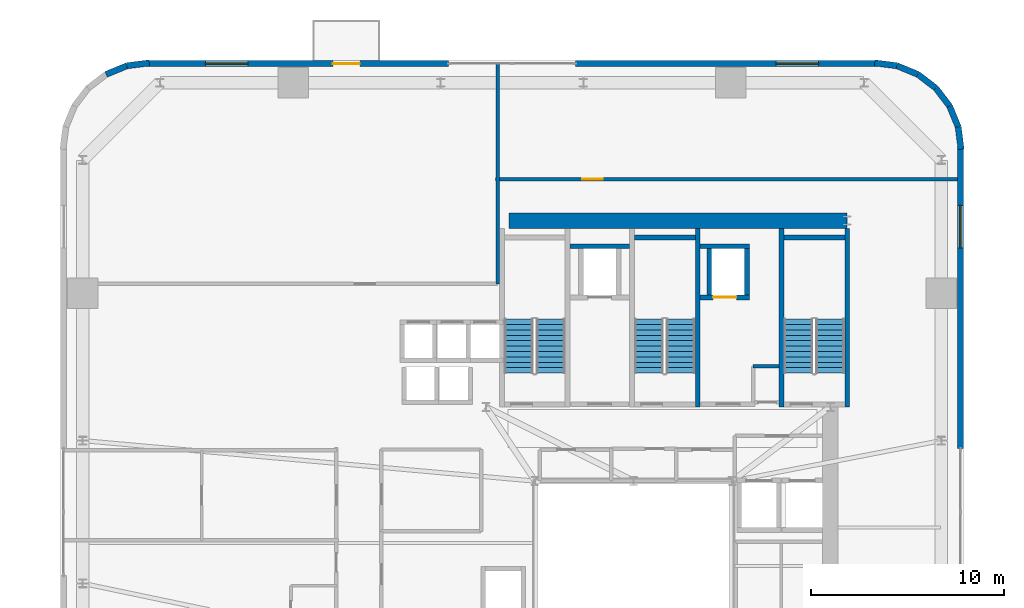
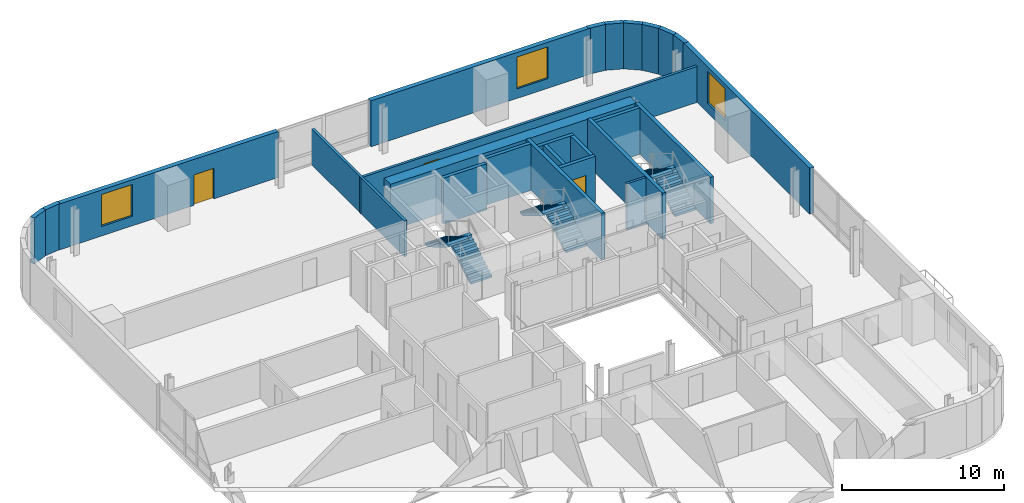
# One storey, part 9 of 11: 25 walls, 6 stair flights, 3 doors, 3 windows, 6 openings, 3 elements without a shape of their own.
"""IFC4 building model written with IfcOpenShell, lengths in metres."""

from ifc_helpers import new_model, si_unit, direction, frame, frame_2d, origin, place, context, subcontext, project, spatial, polyline, rectangle, outline, extrude, source, transform, mapped, material, layer, layer_set, type_object, element, fill, aggregate, save


model = new_model("IFC4")

# Units and contexts
model_context = context("Model", 3, precision=1e-05, world=origin(), true_north=direction((0.0, 1.0)))
body_context = subcontext(model_context, "Body", "Model", "MODEL_VIEW")
ifc_project = project(units=[si_unit("LENGTHUNIT", "METRE"), si_unit("AREAUNIT", "SQUARE_METRE"), si_unit("VOLUMEUNIT", "CUBIC_METRE"), si_unit("PLANEANGLEUNIT", "RADIAN"), si_unit("MASSUNIT", "GRAM", prefix="KILO")], contexts=[model_context])

# Site, building, storey
site_placement = place(None, origin())
site = spatial("IfcSite", under=ifc_project, at=site_placement, CompositionType="ELEMENT")
building_placement = place(site_placement, origin())
building = spatial("IfcBuilding", under=site, at=building_placement, Name="Vardaveli Station Tower", CompositionType="ELEMENT")
storey_placement = place(building_placement, frame((0.0, 0.0, 137.199951171875)))
storey = spatial("IfcBuildingStorey", under=building, at=storey_placement, Name="L35", CompositionType="ELEMENT", Elevation=137.199951171875)

# Wall
ifc_material_1 = material(Name="Concrete C50/60", Category="concrete")
ifc_layer_1 = layer(ifc_material_1, 0.800048828125, Name="Concrete C50/60")
ifc_layer_set_1 = layer_set([ifc_layer_1], Name="Concrete C50/60")
wall_type_1 = type_object("IfcWallType", Name="WAL-CORE-800", PredefinedType="SHEAR", material=ifc_layer_set_1)
shared_shape_1 = source(origin(), body_context, "Body", "SweptSolid", [
    extrude(rectangle(XDim=17.52001953125, YDim=0.800048828125, at=frame_2d((8.760009765625, 0.0))), origin(), (0.0, 0.0, 1.0), 3.4599609375),
])
wall_1_placement = place(storey_placement, frame((29.85009765625, 40.300048828125, 0.0), z_axis=(0.0, 0.0, 1.0), x_axis=(1.0, 0.0, 0.0)))
element("IfcWall", 1, at=wall_1_placement, inside=storey, type_object=wall_type_1, Name="SW-L35-NORTH", PredefinedType="SHEAR", context=body_context, shape_type="MappedRepresentation", body=[
    mapped(shared_shape_1, transform((0.0, 0.0, 0.0), scale=1.0)),
])

# Wall, opening, window
ifc_material_2 = material(Name="Precast concrete C45/55", Category="concrete")
ifc_layer_2 = layer(ifc_material_2, 0.320068359375, Name="Precast concrete C45/55")
ifc_layer_set_2 = layer_set([ifc_layer_2], Name="Precast concrete C45/55")
wall_type_2 = type_object("IfcWallType", Name="WAL-EXT-STONE-320", PredefinedType="SOLIDWALL", material=ifc_layer_set_2)
shared_shape_2 = source(origin(), body_context, "Body", "SweptSolid", [
    extrude(rectangle(XDim=15.599853515625, YDim=0.320068359375, at=frame_2d((7.7998046875, 0.0))), origin(), (0.0, 0.0, 1.0), 3.4599609375),
])
wall_2_placement = place(storey_placement, frame((48.89990234375, 48.43994140625, 0.0), z_axis=(0.0, 0.0, 1.0), x_axis=(-1.0, 0.0, 0.0)))
wall_2 = element("IfcWall", 2, at=wall_2_placement, inside=storey, type_object=wall_type_2, Name="EW-L35-N1", PredefinedType="SOLIDWALL", context=body_context, shape_type="MappedRepresentation", body=[
    mapped(shared_shape_2, transform((0.0, 0.0, 0.0), scale=1.0)),
])
shared_shape_3 = source(origin(), body_context, "Body", "SweptSolid", [
    extrude(rectangle(XDim=2.199951171875, YDim=2.39990234375, at=frame_2d((1.10009765625, 1.199951171875))), frame((0.0, 0.169921875, 0.0), z_axis=(0.0, -1.0, 0.0), x_axis=(1.0, 0.0, 0.0)), (0.0, 0.0, 1.0), 0.340087890625),
])
opening_1_placement = place(wall_2_placement, frame((3.0048828125, 0.0, 0.719970703125)))
opening_1 = element("IfcOpeningElement", 3, at=opening_1_placement, cuts=wall_2, Name="Opening W-03", PredefinedType="OPENING", context=body_context, shape_type="MappedRepresentation", body=[
    mapped(shared_shape_3, transform((0.0, 0.0, 0.0), scale=1.0)),
])
ifc_material_3 = material(Name="Low-E solar-control glass", Category="glass")
window_type = type_object("IfcWindowType", Name="WIN-LOG-2200x2400", PartitioningType="SINGLE_PANEL", PredefinedType="WINDOW", material=ifc_material_3)
shared_shape_4 = source(origin(), body_context, "Body", "SweptSolid", [
    extrude(rectangle(XDim=2.199951171875, YDim=2.39990234375, at=frame_2d((1.10009765625, 1.199951171875))), frame((0.0, 0.030029296875, 0.0), z_axis=(0.0, -1.0, 0.0), x_axis=(1.0, 0.0, 0.0)), (0.0, 0.0, 1.0), 0.06005859375),
])
window_1_placement = place(opening_1_placement, origin())
window_1 = element("IfcWindow", 4, at=window_1_placement, inside=storey, type_object=window_type, Name="WN-L35-N1", OverallHeight=2.39990234375, OverallWidth=2.199951171875, PartitioningType="SINGLE_PANEL", PredefinedType="WINDOW", context=body_context, shape_type="MappedRepresentation", body=[
    mapped(shared_shape_4, transform((0.0, 0.0, 0.0), scale=1.0)),
])
fill(opening_1, window_1)

# Wall, openings, door, window
wall_3_placement = place(storey_placement, frame((26.699951171875, 48.43994140625, 0.0), z_axis=(0.0, 0.0, 1.0), x_axis=(-1.0, 0.0, 0.0)))
wall_3 = element("IfcWall", 5, at=wall_3_placement, inside=storey, type_object=wall_type_2, Name="EW-L35-N2", PredefinedType="SOLIDWALL", context=body_context, shape_type="MappedRepresentation", body=[
    mapped(shared_shape_2, transform((0.0, 0.0, 0.0), scale=1.0)),
])
shared_shape_5 = source(origin(), body_context, "Body", "SweptSolid", [
    extrude(rectangle(XDim=1.39990234375, YDim=2.300048828125, at=frame_2d((0.699951171875, 1.14990234375))), frame((0.0, 0.169921875, 0.0), z_axis=(0.0, -1.0, 0.0), x_axis=(1.0, 0.0, 0.0)), (0.0, 0.0, 1.0), 0.340087890625),
])
opening_2_placement = place(wall_3_placement, frame((4.589599609375, 0.0, 0.0)))
opening_2 = element("IfcOpeningElement", 6, at=opening_2_placement, cuts=wall_3, Name="Opening D-09", PredefinedType="OPENING", context=body_context, shape_type="MappedRepresentation", body=[
    mapped(shared_shape_5, transform((0.0, 0.0, 0.0), scale=1.0)),
])
opening_3_placement = place(wall_3_placement, frame((10.39501953125, 0.0, 0.719970703125)))
opening_3 = element("IfcOpeningElement", 7, at=opening_3_placement, cuts=wall_3, Name="Opening W-03", PredefinedType="OPENING", context=body_context, shape_type="MappedRepresentation", body=[
    mapped(shared_shape_3, transform((0.0, 0.0, 0.0), scale=1.0)),
])
ifc_material_4 = material(Name="Thermally broken aluminium glass", Category="aluminium")
door_type_1 = type_object("IfcDoorType", Name="DR-LOG-1400x2300", OperationType="DOUBLE_DOOR_SLIDING", PredefinedType="DOOR", material=ifc_material_4)
shared_shape_6 = source(origin(), body_context, "Body", "SweptSolid", [
    extrude(rectangle(XDim=1.39990234375, YDim=2.300048828125, at=frame_2d((0.699951171875, 1.14990234375))), frame((0.0, 0.02490234375, 0.0), z_axis=(0.0, -1.0, 0.0), x_axis=(1.0, 0.0, 0.0)), (0.0, 0.0, 1.0), 0.050048828125),
])
door_1_placement = place(opening_2_placement, frame((1.39990234375, 0.0, 0.0), z_axis=(0.0, 0.0, 1.0), x_axis=(-1.0, 0.0, 0.0)))
door_1 = element("IfcDoor", 8, at=door_1_placement, inside=storey, type_object=door_type_1, Name="DLG-L35-N", OperationType="DOUBLE_DOOR_SLIDING", OverallHeight=2.300048828125, OverallWidth=1.39990234375, PredefinedType="DOOR", context=body_context, shape_type="MappedRepresentation", body=[
    mapped(shared_shape_6, transform((0.0, 0.0, 0.0), scale=1.0)),
])
fill(opening_2, door_1)
window_2_placement = place(opening_3_placement, origin())
window_2 = element("IfcWindow", 9, at=window_2_placement, inside=storey, type_object=window_type, Name="WN-L35-N2", OverallHeight=2.39990234375, OverallWidth=2.199951171875, PartitioningType="SINGLE_PANEL", PredefinedType="WINDOW", context=body_context, shape_type="MappedRepresentation", body=[
    mapped(shared_shape_4, transform((0.0, 0.0, 0.0), scale=1.0)),
])
fill(opening_3, window_2)

# Wall, opening, window
shared_shape_7 = source(origin(), body_context, "Body", "SweptSolid", [
    extrude(rectangle(XDim=15.60009765625, YDim=0.320068359375, at=frame_2d((7.800048828125, 0.0))), origin(), (0.0, 0.0, 1.0), 3.4599609375),
])
wall_4_placement = place(storey_placement, frame((53.239990234375, 28.5, 0.0), z_axis=(0.0, 0.0, 1.0), x_axis=(0.0, 1.0, 0.0)))
wall_4 = element("IfcWall", 10, at=wall_4_placement, inside=storey, type_object=wall_type_2, Name="EW-L35-E2", PredefinedType="SOLIDWALL", context=body_context, shape_type="MappedRepresentation", body=[
    mapped(shared_shape_7, transform((0.0, 0.0, 0.0), scale=1.0)),
])
opening_4_placement = place(wall_4_placement, frame((10.39501953125, 0.0, 0.719970703125)))
opening_4 = element("IfcOpeningElement", 11, at=opening_4_placement, cuts=wall_4, Name="Opening W-03", PredefinedType="OPENING", context=body_context, shape_type="MappedRepresentation", body=[
    mapped(shared_shape_3, transform((0.0, 0.0, 0.0), scale=1.0)),
])
window_3_placement = place(opening_4_placement, origin())
window_3 = element("IfcWindow", 12, at=window_3_placement, inside=storey, type_object=window_type, Name="WN-L35-E2", OverallHeight=2.39990234375, OverallWidth=2.199951171875, PartitioningType="SINGLE_PANEL", PredefinedType="WINDOW", context=body_context, shape_type="MappedRepresentation", body=[
    mapped(shared_shape_4, transform((0.0, 0.0, 0.0), scale=1.0)),
])
fill(opening_4, window_3)

# Walls
shared_shape_8 = source(origin(), body_context, "Body", "SweptSolid", [
    extrude(rectangle(XDim=1.1689453125, YDim=0.320068359375, at=frame_2d((0.58447265625, 0.0))), origin(), (0.0, 0.0, 1.0), 3.4599609375),
])
wall_5_placement = place(storey_placement, frame((52.679931640625, 46.2412109375, 0.0), z_axis=(0.0, 0.0, 1.0), x_axis=(-0.608387696831, 0.793639975269, 0.0)))
element("IfcWall", 13, at=wall_5_placement, inside=storey, type_object=wall_type_2, Name="EW-L35-CR3-3", PredefinedType="SOLIDWALL", context=body_context, shape_type="MappedRepresentation", body=[
    mapped(shared_shape_8, transform((0.0, 0.0, 0.0), scale=1.0)),
])
shared_shape_9 = source(origin(), body_context, "Body", "SweptSolid", [
    extrude(rectangle(XDim=1.168701171875, YDim=0.320068359375, at=frame_2d((0.58447265625, 0.0))), origin(), (0.0, 0.0, 1.0), 3.4599609375),
])
wall_6_placement = place(storey_placement, frame((51.96875, 47.1689453125, 0.0), z_axis=(0.0, 0.0, 1.0), x_axis=(-0.793663520347, 0.608356981114, 0.0)))
element("IfcWall", 14, at=wall_6_placement, inside=storey, type_object=wall_type_2, Name="EW-L35-CR3-4", PredefinedType="SOLIDWALL", context=body_context, shape_type="MappedRepresentation", body=[
    mapped(shared_shape_9, transform((0.0, 0.0, 0.0), scale=1.0)),
])
shared_shape_10 = source(origin(), body_context, "Body", "SweptSolid", [
    extrude(rectangle(XDim=1.17041015625, YDim=0.320068359375, at=frame_2d((0.585205078125, 0.0))), origin(), (0.0, 0.0, 1.0), 3.4599609375),
])
for number, where, z_axis, x_axis, name in (
    (15, (53.275634765625, 43.99951171875, 0.0), (0.0, 0.0, 1.0), (-0.128295670475, 0.991735963317, 0.0), "EW-L35-CR3-1"),
    (16, (49.960205078125, 48.325439453125, 0.0), (0.0, 0.0, 1.0), (-0.991735963317, 0.128295670475, 0.0), "EW-L35-CR3-6"),
    (17, (11.200439453125, 48.4755859375, 0.0), (0.0, 0.0, 1.0), (-0.991735963317, -0.128295670475, 0.0), "EW-L35-CR4-1"),
):
    element("IfcWall", number, at=place(storey_placement, frame(where, z_axis=z_axis, x_axis=x_axis)), inside=storey, type_object=wall_type_2, Name=name, PredefinedType="SOLIDWALL", context=body_context, shape_type="MappedRepresentation", body=[
        mapped(shared_shape_10, transform((0.0, 0.0, 0.0), scale=1.0)),
    ])
shared_shape_11 = source(origin(), body_context, "Body", "SweptSolid", [
    extrude(rectangle(XDim=1.169189453125, YDim=0.320068359375, at=frame_2d((0.58447265625, 0.0))), origin(), (0.0, 0.0, 1.0), 3.4599609375),
])
for number, where, z_axis, x_axis, name in (
    (18, (53.12548828125, 45.16015625, 0.0), (0.0, 0.0, 1.0), (-0.381054331552, 0.924552646638, 0.0), "EW-L35-CR3-2"),
    (19, (51.041259765625, 47.8798828125, 0.0), (0.0, 0.0, 1.0), (-0.924552646638, 0.381054331552, 0.0), "EW-L35-CR3-5"),
    (20, (10.039794921875, 48.325439453125, 0.0), (0.0, 0.0, 1.0), (-0.924552646638, -0.381054331552, 0.0), "EW-L35-CR4-2"),
):
    element("IfcWall", number, at=place(storey_placement, frame(where, z_axis=z_axis, x_axis=x_axis)), inside=storey, type_object=wall_type_2, Name=name, PredefinedType="SOLIDWALL", context=body_context, shape_type="MappedRepresentation", body=[
        mapped(shared_shape_11, transform((0.0, 0.0, 0.0), scale=1.0)),
    ])
ifc_material_5 = material(Name="Concrete C40/50", Category="concrete")
ifc_layer_3 = layer(ifc_material_5, 0.25, Name="Concrete C40/50")
ifc_layer_set_3 = layer_set([ifc_layer_3], Name="Concrete C40/50")
wall_type_3 = type_object("IfcWallType", Name="WAL-SHAFT-250", PredefinedType="SOLIDWALL", material=ifc_layer_set_3)
shared_shape_12 = source(origin(), body_context, "Body", "SweptSolid", [
    extrude(rectangle(XDim=9.25, YDim=0.25, at=frame_2d((4.625, 0.0))), origin(), (0.0, 0.0, 1.0), 3.5),
])
for number, where, z_axis, x_axis, name in (
    (21, (39.625, 30.64990234375, 0.0), (0.0, 0.0, 1.0), (0.0, 1.0, 0.0), "W-L35-ST-2E"),
    (22, (43.97509765625, 30.64990234375, 0.0), (0.0, 0.0, 1.0), (0.0, 1.0, 0.0), "W-L35-ST-3W"),
    (23, (47.375, 30.64990234375, 0.0), (0.0, 0.0, 1.0), (0.0, 1.0, 0.0), "W-L35-ST-3E"),
):
    element("IfcWall", number, at=place(storey_placement, frame(where, z_axis=z_axis, x_axis=x_axis)), inside=storey, type_object=wall_type_3, Name=name, PredefinedType="SOLIDWALL", context=body_context, shape_type="MappedRepresentation", body=[
        mapped(shared_shape_12, transform((0.0, 0.0, 0.0), scale=1.0)),
    ])
shared_shape_13 = source(origin(), body_context, "Body", "SweptSolid", [
    extrude(rectangle(XDim=3.14990234375, YDim=0.25, at=frame_2d((1.574951171875, 0.0))), origin(), (0.0, 0.0, 1.0), 3.5),
])
for number, where, z_axis, x_axis, name in (
    (24, (36.35009765625, 39.425048828125, 0.0), (0.0, 0.0, 1.0), (1.0, 0.0, 0.0), "W-L35-ST-2N"),
    (25, (44.10009765625, 39.425048828125, 0.0), (0.0, 0.0, 1.0), (1.0, 0.0, 0.0), "W-L35-ST-3N"),
):
    element("IfcWall", number, at=place(storey_placement, frame(where, z_axis=z_axis, x_axis=x_axis)), inside=storey, type_object=wall_type_3, Name=name, PredefinedType="SOLIDWALL", context=body_context, shape_type="MappedRepresentation", body=[
        mapped(shared_shape_13, transform((0.0, 0.0, 0.0), scale=1.0)),
    ])
shared_shape_14 = source(origin(), body_context, "Body", "SweptSolid", [
    extrude(rectangle(XDim=3.10009765625, YDim=0.25, at=frame_2d((1.550048828125, 0.0))), origin(), (0.0, 0.0, 1.0), 3.4599609375),
])
wall_7_placement = place(storey_placement, frame((33.0, 38.97509765625, 0.0), z_axis=(0.0, 0.0, 1.0), x_axis=(1.0, 0.0, 0.0)))
element("IfcWall", 26, at=wall_7_placement, inside=storey, type_object=wall_type_3, Name="SHW-FFL-01-L35-N", PredefinedType="SOLIDWALL", context=body_context, shape_type="MappedRepresentation", body=[
    mapped(shared_shape_14, transform((0.0, 0.0, 0.0), scale=1.0)),
])
shared_shape_15 = source(origin(), body_context, "Body", "SweptSolid", [
    extrude(rectangle(XDim=2.400146484375, YDim=0.25, at=frame_2d((1.2001953125, 0.0))), origin(), (0.0, 0.0, 1.0), 3.4599609375),
])
for number, where, z_axis, x_axis, name in (
    (27, (40.22509765625, 36.449951171875, 0.0), (0.0, 0.0, 1.0), (0.0, 1.0, 0.0), "SHW-FFL-02-L35-W"),
    (28, (42.175048828125, 36.449951171875, 0.0), (0.0, 0.0, 1.0), (0.0, 1.0, 0.0), "SHW-FFL-02-L35-E"),
):
    element("IfcWall", number, at=place(storey_placement, frame(where, z_axis=z_axis, x_axis=x_axis)), inside=storey, type_object=wall_type_3, Name=name, PredefinedType="SOLIDWALL", context=body_context, shape_type="MappedRepresentation", body=[
        mapped(shared_shape_15, transform((0.0, 0.0, 0.0), scale=1.0)),
    ])

# Wall, opening, door
shared_shape_16 = source(origin(), body_context, "Body", "SweptSolid", [
    extrude(rectangle(XDim=2.550048828125, YDim=0.25, at=frame_2d((1.27490234375, 0.0))), origin(), (0.0, 0.0, 1.0), 3.4599609375),
])
wall_8_placement = place(storey_placement, frame((39.75, 36.324951171875, 0.0), z_axis=(0.0, 0.0, 1.0), x_axis=(1.0, 0.0, 0.0)))
wall_8 = element("IfcWall", 29, at=wall_8_placement, inside=storey, type_object=wall_type_3, Name="SHW-FFL-02-L35-S", PredefinedType="SOLIDWALL", context=body_context, shape_type="MappedRepresentation", body=[
    mapped(shared_shape_16, transform((0.0, 0.0, 0.0), scale=1.0)),
])
shared_shape_17 = source(origin(), body_context, "Body", "SweptSolid", [
    extrude(rectangle(XDim=1.199951171875, YDim=2.25, at=frame_2d((0.60009765625, 1.125))), frame((0.0, 0.135009765625, 0.0), z_axis=(0.0, -1.0, 0.0), x_axis=(1.0, 0.0, 0.0)), (0.0, 0.0, 1.0), 0.27001953125),
])
opening_5_placement = place(wall_8_placement, frame((0.675048828125, 0.0, 0.0)))
opening_5 = element("IfcOpeningElement", 30, at=opening_5_placement, cuts=wall_8, Name="Opening LD-02", PredefinedType="OPENING", context=body_context, shape_type="MappedRepresentation", body=[
    mapped(shared_shape_17, transform((0.0, 0.0, 0.0), scale=1.0)),
])
ifc_material_6 = material(Name="Brushed stainless steel", Category="steel")
door_type_2 = type_object("IfcDoorType", Name="DR-LD-1200x2250", OperationType="DOUBLE_DOOR_SLIDING", PredefinedType="DOOR", material=ifc_material_6)
shared_shape_18 = source(origin(), body_context, "Body", "SweptSolid", [
    extrude(rectangle(XDim=1.199951171875, YDim=2.25, at=frame_2d((0.60009765625, 1.125))), frame((0.0, 0.02490234375, 0.0), z_axis=(0.0, -1.0, 0.0), x_axis=(1.0, 0.0, 0.0)), (0.0, 0.0, 1.0), 0.050048828125),
])
door_2_placement = place(opening_5_placement, origin())
door_2 = element("IfcDoor", 31, at=door_2_placement, inside=storey, type_object=door_type_2, Name="LD-FFL-02-L35", OperationType="DOUBLE_DOOR_SLIDING", OverallHeight=2.25, OverallWidth=1.199951171875, PredefinedType="DOOR", context=body_context, shape_type="MappedRepresentation", body=[
    mapped(shared_shape_18, transform((0.0, 0.0, 0.0), scale=1.0)),
])
fill(opening_5, door_2)

# Walls
wall_9_placement = place(storey_placement, frame((39.75, 38.97509765625, 0.0), z_axis=(0.0, 0.0, 1.0), x_axis=(1.0, 0.0, 0.0)))
element("IfcWall", 32, at=wall_9_placement, inside=storey, type_object=wall_type_3, Name="SHW-FFL-02-L35-N", PredefinedType="SOLIDWALL", context=body_context, shape_type="MappedRepresentation", body=[
    mapped(shared_shape_16, transform((0.0, 0.0, 0.0), scale=1.0)),
])
ifc_material_7 = material(Name="Fire-rated gypsum stud partition")
ifc_layer_4 = layer(ifc_material_7, 0.179931640625, Name="Fire-rated gypsum stud partition")
ifc_layer_set_4 = layer_set([ifc_layer_4], Name="Fire-rated gypsum stud partition")
wall_type_4 = type_object("IfcWallType", Name="WAL-CORR-180", PredefinedType="PARTITIONING", material=ifc_layer_set_4)
shared_shape_19 = source(origin(), body_context, "Body", "SweptSolid", [
    extrude(rectangle(XDim=1.347900390625, YDim=0.179931640625, at=frame_2d((0.673828125, 0.0))), origin(), (0.0, 0.0, 1.0), 3.4599609375),
])
wall_10_placement = place(storey_placement, frame((42.5, 32.75, 0.0), z_axis=(0.0, 0.0, 1.0), x_axis=(1.0, 0.0, 0.0)))
element("IfcWall", 33, at=wall_10_placement, inside=storey, type_object=wall_type_4, Name="W-L35-CBS2A-N", PredefinedType="PARTITIONING", context=body_context, shape_type="MappedRepresentation", body=[
    mapped(shared_shape_19, transform((0.0, 0.0, 0.0), scale=1.0)),
])

# Wall, opening, door
shared_shape_20 = source(origin(), body_context, "Body", "SweptSolid", [
    extrude(rectangle(XDim=23.927978515625, YDim=0.179931640625, at=frame_2d((11.9638671875, 0.0))), origin(), (0.0, 0.0, 1.0), 2.7021484375),
])
wall_11_placement = place(storey_placement, frame((29.14990234375, 42.449951171875, 0.0), z_axis=(0.0, 0.0, 1.0), x_axis=(1.0, 0.0, 0.0)))
wall_11 = element("IfcWall", 34, at=wall_11_placement, inside=storey, type_object=wall_type_4, Name="W-L35-NPS", PredefinedType="PARTITIONING", context=body_context, shape_type="MappedRepresentation", body=[
    mapped(shared_shape_20, transform((0.0, 0.0, 0.0), scale=1.0)),
])
shared_shape_21 = source(origin(), body_context, "Body", "SweptSolid", [
    extrude(rectangle(XDim=1.050048828125, YDim=2.199951171875, at=frame_2d((0.52490234375, 1.10009765625))), frame((0.0, 0.10009765625, 0.0), z_axis=(0.0, -1.0, 0.0), x_axis=(1.0, 0.0, 0.0)), (0.0, 0.0, 1.0), 0.199951171875),
])
opening_6_placement = place(wall_11_placement, frame((4.5, 0.0, 0.0)))
opening_6 = element("IfcOpeningElement", 35, at=opening_6_placement, cuts=wall_11, Name="Opening D-05", PredefinedType="OPENING", context=body_context, shape_type="MappedRepresentation", body=[
    mapped(shared_shape_21, transform((0.0, 0.0, 0.0), scale=1.0)),
])
ifc_material_8 = material(Name="Walnut veneer acoustic fire door")
door_type_3 = type_object("IfcDoorType", Name="DR-SUITE-1050x2200", OperationType="NOTDEFINED", PredefinedType="DOOR", material=ifc_material_8)
shared_shape_22 = source(origin(), body_context, "Body", "SweptSolid", [
    extrude(rectangle(XDim=1.050048828125, YDim=2.199951171875, at=frame_2d((0.52490234375, 1.10009765625))), frame((0.0, 0.02490234375, 0.0), z_axis=(0.0, -1.0, 0.0), x_axis=(1.0, 0.0, 0.0)), (0.0, 0.0, 1.0), 0.050048828125),
])
door_3_placement = place(opening_6_placement, origin())
door_3 = element("IfcDoor", 36, at=door_3_placement, inside=storey, type_object=door_type_3, Name="D-L35-NP1", OperationType="SINGLE_SWING_RIGHT", OverallHeight=2.199951171875, OverallWidth=1.050048828125, PredefinedType="DOOR", context=body_context, shape_type="MappedRepresentation", body=[
    mapped(shared_shape_22, transform((0.0, 0.0, 0.0), scale=1.0)),
])
fill(opening_6, door_3)

# Wall
shared_shape_23 = source(origin(), body_context, "Body", "SweptSolid", [
    extrude(rectangle(XDim=11.449951171875, YDim=0.179931640625, at=frame_2d((5.72509765625, 0.0))), origin(), (0.0, 0.0, 1.0), 2.7021484375),
])
wall_12_placement = place(storey_placement, frame((29.25, 37.02001953125, 0.0), z_axis=(0.0, 0.0, 1.0), x_axis=(0.0, 1.0, 0.0)))
element("IfcWall", 37, at=wall_12_placement, inside=storey, type_object=wall_type_4, Name="W-L35-CNWE", PredefinedType="PARTITIONING", context=body_context, shape_type="MappedRepresentation", body=[
    mapped(shared_shape_23, transform((0.0, 0.0, 0.0), scale=1.0)),
])

# Stair, stair flights
stair_type = type_object("IfcStairType", Name="STR-CORE-1500", PredefinedType="HALF_TURN_STAIR", material=ifc_material_5)
stair_1_placement = place(storey_placement, origin())
stair_1 = element("IfcStair", 38, at=stair_1_placement, inside=storey, type_object=stair_type, Name="L35 ST-1", PredefinedType="HALF_TURN_STAIR")
stair_flight_type = type_object("IfcStairFlightType", Name="SFL-CORE-1500", PredefinedType="STRAIGHT", material=ifc_material_5)
shared_shape_24 = source(origin(), body_context, "Body", "SweptSolid", [
    extrude(outline(polyline([(0.0, 0.0), (0.0, 0.168212890625), (0.280029296875, 0.168212890625), (0.280029296875, 0.33642578125), (0.56005859375, 0.33642578125), (0.56005859375, 0.504638671875), (0.840087890625, 0.504638671875), (0.840087890625, 0.672607421875), (1.1201171875, 0.672607421875), (1.1201171875, 0.8408203125), (1.39990234375, 0.8408203125), (1.39990234375, 1.009033203125), (1.679931640625, 1.009033203125), (1.679931640625, 1.17724609375), (1.9599609375, 1.17724609375), (1.9599609375, 1.345458984375), (2.239990234375, 1.345458984375), (2.239990234375, 1.513671875), (2.52001953125, 1.513671875), (2.52001953125, 1.681884765625), (2.800048828125, 1.681884765625), (2.800048828125, 1.85009765625), (2.800048828125, 1.5068359375), (0.291015625, 0.0), (0.0, 0.0)])), frame((0.0, 0.75, 0.0), z_axis=(0.0, -1.0, 0.0), x_axis=(1.0, 0.0, 0.0)), (0.0, 0.0, 1.0), 1.5),
])
stair_flight_1_placement = place(storey_placement, frame((32.0, 32.39990234375, 0.0), z_axis=(0.0, 0.0, 1.0), x_axis=(0.0, 1.0, 0.0)))
stair_flight_1 = element("IfcStairFlight", 39, at=stair_flight_1_placement, type_object=stair_flight_type, Name="ST-1 flight 1", NumberOfRisers=11, NumberOfTreads=10, PredefinedType="STRAIGHT", RiserHeight=0.168181818, TreadLength=0.28, context=body_context, shape_type="MappedRepresentation", body=[
    mapped(shared_shape_24, transform((0.0, 0.0, 0.0), scale=1.0)),
])
stair_flight_2_placement = place(storey_placement, frame((30.35009765625, 35.199951171875, 1.85009765625), z_axis=(0.0, 0.0, 1.0), x_axis=(0.0, -1.0, 0.0)))
stair_flight_2 = element("IfcStairFlight", 40, at=stair_flight_2_placement, type_object=stair_flight_type, Name="ST-1 flight 2", NumberOfRisers=11, NumberOfTreads=10, PredefinedType="STRAIGHT", RiserHeight=0.168181818, TreadLength=0.28, context=body_context, shape_type="MappedRepresentation", body=[
    mapped(shared_shape_24, transform((0.0, 0.0, 0.0), scale=1.0)),
])
aggregate(stair_1, [stair_flight_1, stair_flight_2])

stair_2_placement = place(storey_placement, origin())
stair_2 = element("IfcStair", 41, at=stair_2_placement, inside=storey, type_object=stair_type, Name="L35 ST-2", PredefinedType="HALF_TURN_STAIR")
stair_flight_3_placement = place(storey_placement, frame((38.75, 32.39990234375, 0.0), z_axis=(0.0, 0.0, 1.0), x_axis=(0.0, 1.0, 0.0)))
stair_flight_3 = element("IfcStairFlight", 42, at=stair_flight_3_placement, type_object=stair_flight_type, Name="ST-2 flight 1", NumberOfRisers=11, NumberOfTreads=10, PredefinedType="STRAIGHT", RiserHeight=0.168181818, TreadLength=0.28, context=body_context, shape_type="MappedRepresentation", body=[
    mapped(shared_shape_24, transform((0.0, 0.0, 0.0), scale=1.0)),
])
stair_flight_4_placement = place(storey_placement, frame((37.10009765625, 35.199951171875, 1.85009765625), z_axis=(0.0, 0.0, 1.0), x_axis=(0.0, -1.0, 0.0)))
stair_flight_4 = element("IfcStairFlight", 43, at=stair_flight_4_placement, type_object=stair_flight_type, Name="ST-2 flight 2", NumberOfRisers=11, NumberOfTreads=10, PredefinedType="STRAIGHT", RiserHeight=0.168181818, TreadLength=0.28, context=body_context, shape_type="MappedRepresentation", body=[
    mapped(shared_shape_24, transform((0.0, 0.0, 0.0), scale=1.0)),
])
aggregate(stair_2, [stair_flight_3, stair_flight_4])

stair_3_placement = place(storey_placement, origin())
stair_3 = element("IfcStair", 44, at=stair_3_placement, inside=storey, type_object=stair_type, Name="L35 ST-3", PredefinedType="HALF_TURN_STAIR")
stair_flight_5_placement = place(storey_placement, frame((46.5, 32.39990234375, 0.0), z_axis=(0.0, 0.0, 1.0), x_axis=(0.0, 1.0, 0.0)))
stair_flight_5 = element("IfcStairFlight", 45, at=stair_flight_5_placement, type_object=stair_flight_type, Name="ST-3 flight 1", NumberOfRisers=11, NumberOfTreads=10, PredefinedType="STRAIGHT", RiserHeight=0.168181818, TreadLength=0.28, context=body_context, shape_type="MappedRepresentation", body=[
    mapped(shared_shape_24, transform((0.0, 0.0, 0.0), scale=1.0)),
])
stair_flight_6_placement = place(storey_placement, frame((44.85009765625, 35.199951171875, 1.85009765625), z_axis=(0.0, 0.0, 1.0), x_axis=(0.0, -1.0, 0.0)))
stair_flight_6 = element("IfcStairFlight", 46, at=stair_flight_6_placement, type_object=stair_flight_type, Name="ST-3 flight 2", NumberOfRisers=11, NumberOfTreads=10, PredefinedType="STRAIGHT", RiserHeight=0.168181818, TreadLength=0.28, context=body_context, shape_type="MappedRepresentation", body=[
    mapped(shared_shape_24, transform((0.0, 0.0, 0.0), scale=1.0)),
])
aggregate(stair_3, [stair_flight_5, stair_flight_6])

save(model, "model.ifc")
